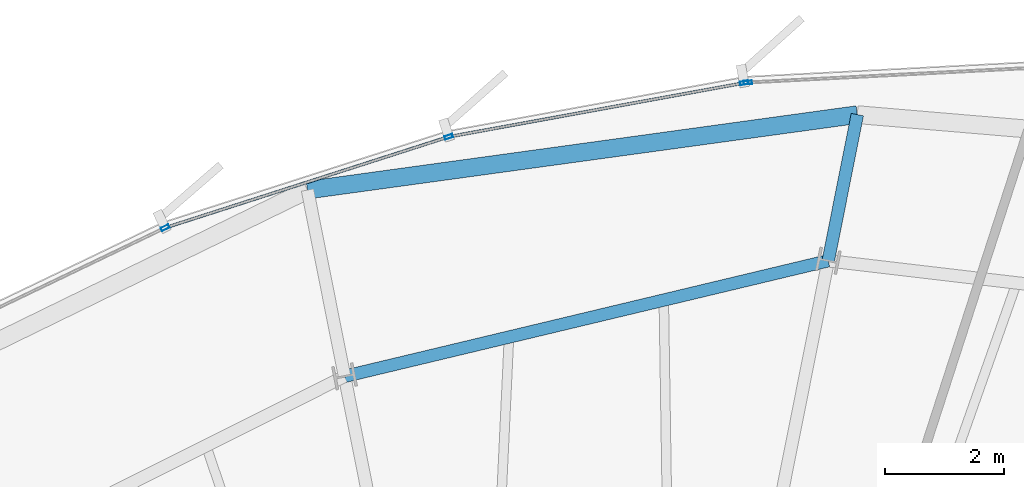
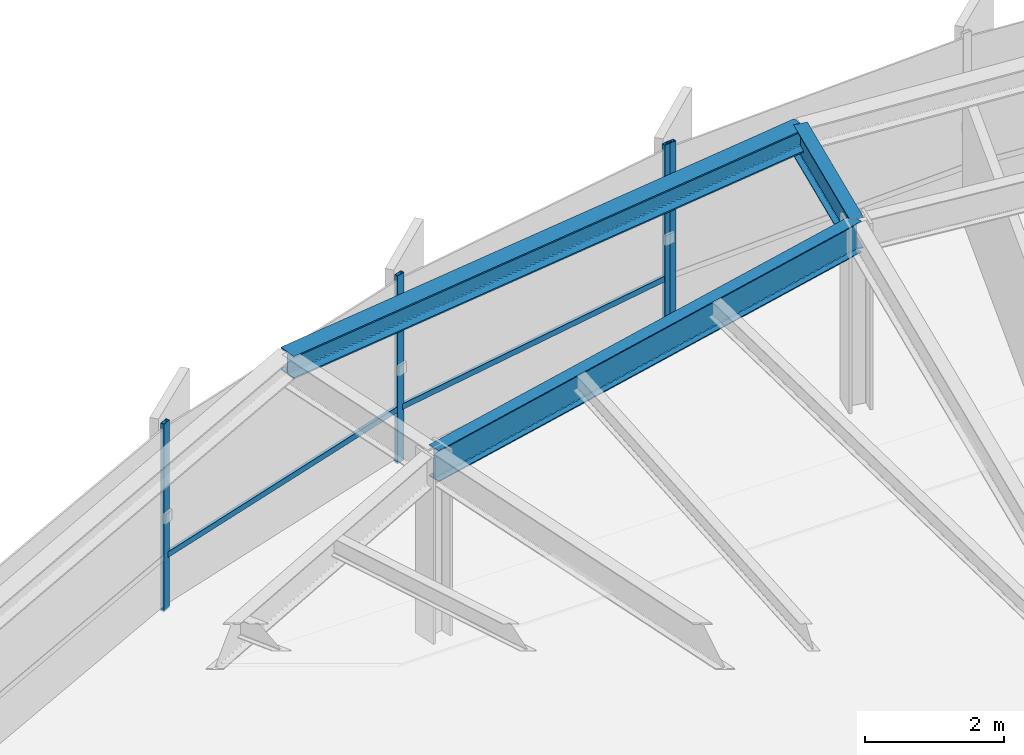
# One storey, part 21 of 34: 6 members, 3 beams, 2 elements without a shape of their own.
"""IFC4 building model written with IfcOpenShell, lengths in metres."""

from ifc_helpers import new_model, si_unit, direction, frame, origin, origin_2d, place, context, subcontext, project, spatial, hollow_rectangle, i_section, extrude, source, transform, mapped, material, layer, layer_set, material_profile, profile_set, type_object, element, aggregate, save


model = new_model("IFC4")

# Units and contexts
model_context = context("Model", 3, precision=1e-05, world=origin(), true_north=direction((0.0, 1.0)))
body_context = subcontext(model_context, "Body", "Model", "MODEL_VIEW")
ifc_project = project(units=[si_unit("LENGTHUNIT", "METRE"), si_unit("AREAUNIT", "SQUARE_METRE"), si_unit("VOLUMEUNIT", "CUBIC_METRE"), si_unit("PLANEANGLEUNIT", "RADIAN"), si_unit("MASSUNIT", "GRAM", prefix="KILO"), si_unit("THERMODYNAMICTEMPERATUREUNIT", "KELVIN")], contexts=[model_context])

# Site, building, storey
site_placement = place(None, origin())
site = spatial("IfcSite", under=ifc_project, at=site_placement, CompositionType="ELEMENT")
building_placement = place(site_placement, origin())
building = spatial("IfcBuilding", under=site, at=building_placement, Name="Kethvar Cultural Tower", CompositionType="ELEMENT")
storey_placement = place(building_placement, frame((0.0, 0.0, 153.64990234375)))
storey = spatial("IfcBuildingStorey", under=building, at=storey_placement, Name="L39", CompositionType="ELEMENT", Elevation=153.64990234375)

# Beams
ifc_material_1 = material(Name="Steel S355J2", Category="steel")
ifc_material_profile_1 = material_profile(ifc_material_1, i_section(OverallWidth=0.2099609375, OverallDepth=0.550048828125, WebThickness=0.010986328125, FlangeThickness=0.01708984375, FilletRadius=0.02392578125, at=origin_2d()), Name="Steel S355J2 — IPE550")
ifc_profile_set_1 = profile_set([ifc_material_profile_1], Name="Steel S355J2 — IPE550")
beam_type_1 = type_object("IfcBeamType", Name="BM-IPE550", PredefinedType="BEAM", material=ifc_profile_set_1)
shared_shape_1 = source(origin(), body_context, "Body", "SweptSolid", [
    extrude(i_section(OverallWidth=0.2099609375, OverallDepth=0.550048828125, WebThickness=0.010986328125, FlangeThickness=0.01708984375, FilletRadius=0.02392578125, at=origin_2d()), origin(), (0.0, 0.0, 1.0), 8.379150390625),
])
beam_1_placement = place(storey_placement, frame((51.068603515625, 49.25927734375, 3.023193359375), z_axis=(-0.972601380857, -0.232479147355, 0.0), x_axis=(0.232479147355, -0.972601380857, 0.0)))
element("IfcBeam", 1, at=beam_1_placement, inside=storey, type_object=beam_type_1, Name="L39 Column Ring Tie Beam CR-04", PredefinedType="BEAM", context=body_context, shape_type="MappedRepresentation", body=[
    mapped(shared_shape_1, transform((0.0, 0.0, 0.0), scale=1.0)),
])
shared_shape_2 = source(origin(), body_context, "Body", "SweptSolid", [
    extrude(i_section(OverallWidth=0.2099609375, OverallDepth=0.550048828125, WebThickness=0.010986328125, FlangeThickness=0.01708984375, FilletRadius=0.02392578125, at=origin_2d()), origin(), (0.0, 0.0, 1.0), 2.509765625),
])
beam_2_placement = place(storey_placement, frame((51.068603515625, 49.25927734375, 3.023193359375), z_axis=(0.195031054307, 0.980797067622, 0.0), x_axis=(-0.980797067622, 0.195031054307, 0.0)))
element("IfcBeam", 2, at=beam_2_placement, inside=storey, type_object=beam_type_1, Name="L39 Perimeter Cantilever Beam RC-04", PredefinedType="BEAM", context=body_context, shape_type="MappedRepresentation", body=[
    mapped(shared_shape_2, transform((0.0, 0.0, 0.0), scale=1.0)),
])
ifc_material_profile_2 = material_profile(ifc_material_1, i_section(OverallWidth=0.300048828125, OverallDepth=0.39990234375, WebThickness=0.013427734375, FlangeThickness=0.02392578125, FilletRadius=0.027099609375, at=origin_2d()), Name="Steel S355J2 — HEB400")
ifc_profile_set_2 = profile_set([ifc_material_profile_2], Name="Steel S355J2 — HEB400")
beam_type_2 = type_object("IfcBeamType", Name="BM-SP400", PredefinedType="SPANDREL", material=ifc_profile_set_2)
shared_shape_3 = source(origin(), body_context, "Body", "SweptSolid", [
    extrude(i_section(OverallWidth=0.300048828125, OverallDepth=0.39990234375, WebThickness=0.013427734375, FlangeThickness=0.02392578125, FilletRadius=0.027099609375, at=origin_2d()), origin(), (0.0, 0.0, 1.0), 9.350341796875),
])
beam_3_placement = place(storey_placement, frame((51.55810546875, 51.720947265625, 3.09814453125), z_axis=(-0.990714614099, -0.135957910434, 0.0), x_axis=(0.135957910434, -0.990714614099, 0.0)))
element("IfcBeam", 3, at=beam_3_placement, inside=storey, type_object=beam_type_2, Name="L39 Perimeter Spandrel Beam SP-04", PredefinedType="SPANDREL", context=body_context, shape_type="MappedRepresentation", body=[
    mapped(shared_shape_3, transform((0.0, 0.0, 0.0), scale=1.0)),
])

# Curtain wall, member
ifc_material_2 = material(Name="Aluminium 6063-T6", Category="aluminium")
ifc_layer = layer(ifc_material_2, 0.179931640625, Name="Aluminium 6063-T6", Category="aluminium")
ifc_layer_set = layer_set([ifc_layer], Name="Aluminium 6063-T6 (180 mm)")
curtain_wall_type = type_object("IfcCurtainWallType", Name="CW-SYS-04-Z34", PredefinedType="NOTDEFINED", material=ifc_layer_set)
curtain_wall_1_placement = place(storey_placement, origin())
curtain_wall_1 = element("IfcCurtainWall", 4, at=curtain_wall_1_placement, inside=storey, type_object=curtain_wall_type, Name="L39 Curtain Wall Run 01", PredefinedType="NOTDEFINED")
ifc_material_profile_3 = material_profile(ifc_material_2, hollow_rectangle(XDim=0.06005859375, YDim=0.139892578125, WallThickness=0.0048828125, at=origin_2d()), Name="Aluminium 6063-T6 — RHS140x60x5")
ifc_profile_set_3 = profile_set([ifc_material_profile_3], Name="Aluminium 6063-T6 — RHS140x60x5")
member_type_1 = type_object("IfcMemberType", Name="CW-SYS-04-Z34-MUL", PredefinedType="MULLION", material=ifc_profile_set_3)
shared_shape_4 = source(origin(), body_context, "Body", "SweptSolid", [
    extrude(hollow_rectangle(XDim=0.06005859375, YDim=0.139892578125, WallThickness=0.0048828125, at=origin_2d()), origin(), (0.0, 0.0, 1.0), 3.300048828125),
])
member_1_placement = place(storey_placement, frame((49.714111328125, 52.262939453125, 0.0), z_axis=(0.0, 0.0, 1.0), x_axis=(0.051447037584, -0.998675724309, 0.0)))
member_1 = element("IfcMember", 5, at=member_1_placement, type_object=member_type_1, Name="CW-L39-R01 Mullion 7", PredefinedType="MULLION", context=body_context, shape_type="MappedRepresentation", body=[
    mapped(shared_shape_4, transform((0.0, 0.0, 0.0), scale=1.0)),
])
aggregate(curtain_wall_1, [member_1])

# Curtain wall, members
curtain_wall_2_placement = place(storey_placement, origin())
curtain_wall_2 = element("IfcCurtainWall", 6, at=curtain_wall_2_placement, inside=storey, type_object=curtain_wall_type, Name="L39 Curtain Wall Run 02", PredefinedType="NOTDEFINED")
member_2_placement = place(storey_placement, frame((49.65087890625, 52.255615234375, 0.0), z_axis=(0.0, 0.0, 1.0), x_axis=(0.179523392414, -0.983753704733, 0.0)))
member_2 = element("IfcMember", 7, at=member_2_placement, type_object=member_type_1, Name="CW-L39-R02 Mullion 1", PredefinedType="MULLION", context=body_context, shape_type="MappedRepresentation", body=[
    mapped(shared_shape_4, transform((0.0, 0.0, 0.0), scale=1.0)),
])
member_3_placement = place(storey_placement, frame((44.67431640625, 51.348388671875, 0.0), z_axis=(0.0, 0.0, 1.0), x_axis=(0.305711922709, -0.952124057208, 0.0)))
member_3 = element("IfcMember", 8, at=member_3_placement, type_object=member_type_1, Name="CW-L39-R02 Mullion 2", PredefinedType="MULLION", context=body_context, shape_type="MappedRepresentation", body=[
    mapped(shared_shape_4, transform((0.0, 0.0, 0.0), scale=1.0)),
])
member_4_placement = place(storey_placement, frame((39.8955078125, 49.81494140625, 0.0), z_axis=(0.0, 0.0, 1.0), x_axis=(0.432652301562, -0.901560860926, 0.0)))
member_4 = element("IfcMember", 9, at=member_4_placement, type_object=member_type_1, Name="CW-L39-R02 Mullion 3", PredefinedType="MULLION", context=body_context, shape_type="MappedRepresentation", body=[
    mapped(shared_shape_4, transform((0.0, 0.0, 0.0), scale=1.0)),
])
ifc_material_profile_4 = material_profile(ifc_material_2, hollow_rectangle(XDim=0.050048828125, YDim=0.10009765625, WallThickness=0.00390625, at=origin_2d()), Name="Aluminium 6063-T6 — RHS100x50x4")
ifc_profile_set_4 = profile_set([ifc_material_profile_4], Name="Aluminium 6063-T6 — RHS100x50x4")
member_type_2 = type_object("IfcMemberType", Name="CW-SYS-04-Z34-TRN", PredefinedType="USERDEFINED", material=ifc_profile_set_4)
shared_shape_5 = source(origin(), body_context, "Body", "SweptSolid", [
    extrude(hollow_rectangle(XDim=0.050048828125, YDim=0.10009765625, WallThickness=0.00390625, at=origin_2d()), origin(), (0.0, 0.0, 1.0), 5.025390625),
])
member_5_placement = place(storey_placement, frame((49.646728515625, 52.254638671875, 0.9501953125), z_axis=(-0.983757007843, -0.179505291061, 0.0), x_axis=(0.179505291061, -0.983757007843, 0.0)))
member_5 = element("IfcMember", 10, at=member_5_placement, type_object=member_type_2, Name="CW-L39-R02 Transom 1", ObjectType="TRANSOM", PredefinedType="USERDEFINED", context=body_context, shape_type="MappedRepresentation", body=[
    mapped(shared_shape_5, transform((0.0, 0.0, 0.0), scale=1.0)),
])
shared_shape_6 = source(origin(), body_context, "Body", "SweptSolid", [
    extrude(hollow_rectangle(XDim=0.050048828125, YDim=0.10009765625, WallThickness=0.00390625, at=origin_2d()), origin(), (0.0, 0.0, 1.0), 4.947265625),
])
member_6_placement = place(storey_placement, frame((44.633056640625, 51.335205078125, 0.9501953125), z_axis=(-0.952109651612, -0.305756784565, 0.0), x_axis=(0.305756784565, -0.952109651612, 0.0)))
member_6 = element("IfcMember", 11, at=member_6_placement, type_object=member_type_2, Name="CW-L39-R02 Transom 2", ObjectType="TRANSOM", PredefinedType="USERDEFINED", context=body_context, shape_type="MappedRepresentation", body=[
    mapped(shared_shape_6, transform((0.0, 0.0, 0.0), scale=1.0)),
])
aggregate(curtain_wall_2, [member_2, member_3, member_4, member_5, member_6])

save(model, "model.ifc")
